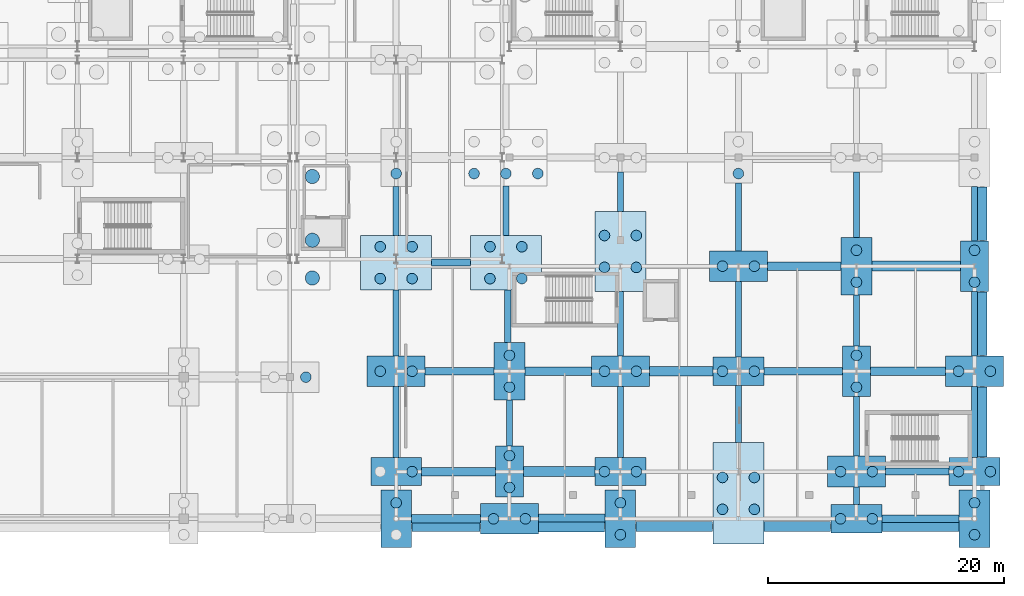
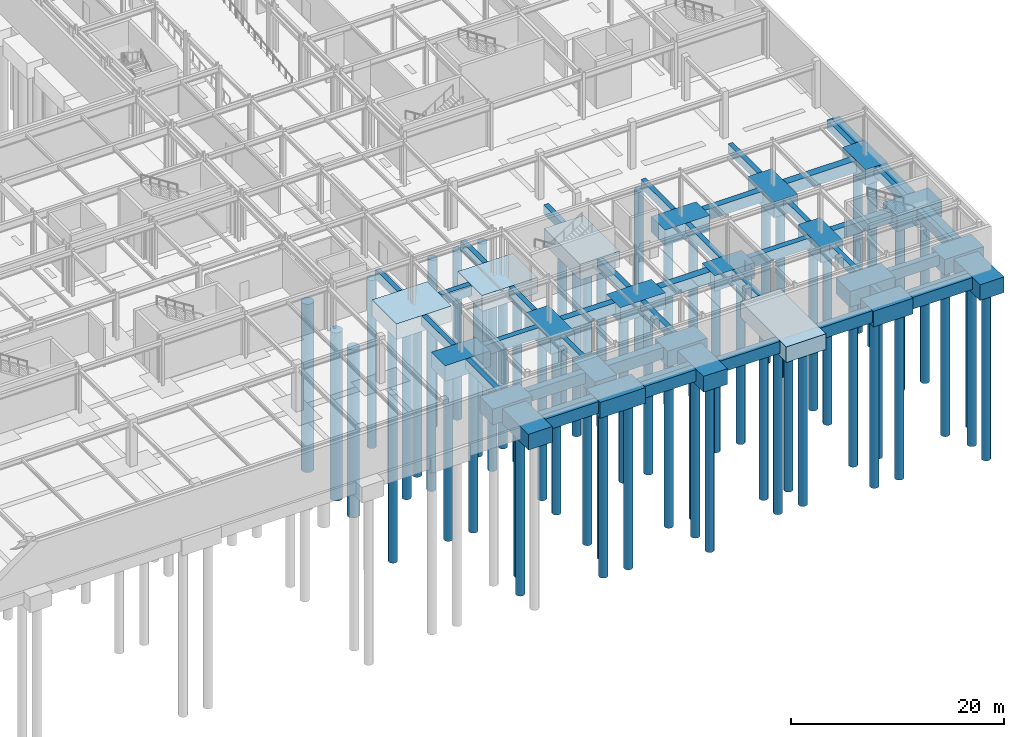
# One storey, part 8 of 65: 64 footings, 61 piles.
"""IFC4 building model written with IfcOpenShell, lengths in metres."""

from ifc_helpers import new_model, si_unit, direction, frame, origin, origin_2d, place, context, subcontext, project, spatial, rectangle, circle, extrude, material, material_profile, profile_set, type_object, element, save


model = new_model("IFC4")

# Units and contexts
model_context = context("Model", 3, precision=1e-05, world=origin(), true_north=direction((0.0, 1.0)))
body_context = subcontext(model_context, "Body", "Model", "MODEL_VIEW")
ifc_project = project(units=[si_unit("LENGTHUNIT", "METRE"), si_unit("AREAUNIT", "SQUARE_METRE"), si_unit("VOLUMEUNIT", "CUBIC_METRE"), si_unit("PLANEANGLEUNIT", "RADIAN"), si_unit("MASSUNIT", "GRAM", prefix="KILO")], contexts=[model_context])

# Site, building, storey
site_placement = place(None, origin())
site = spatial("IfcSite", under=ifc_project, at=site_placement, CompositionType="ELEMENT")
building_placement = place(site_placement, origin())
building = spatial("IfcBuilding", under=site, at=building_placement, Name="Kaldris Quays Convention Centre", CompositionType="ELEMENT")
storey_placement = place(building_placement, frame((0.0, 0.0, -5.39990234375)))
storey = spatial("IfcBuildingStorey", under=building, at=storey_placement, Name="B1", CompositionType="ELEMENT", Elevation=-5.39990234375)

# Piles
ifc_material = material(Name="Concrete C35/45", Category="concrete")
ifc_material_profile_1 = material_profile(ifc_material, circle(Radius=0.449951171875, at=origin_2d()), Name="BORED PILE D900")
ifc_profile_set_1 = profile_set([ifc_material_profile_1], Name="Concrete C35/45")
pile_type_1 = type_object("IfcPileType", Name="BORED PILE P01", PredefinedType="BORED", material=ifc_profile_set_1)
for number, where, z_axis, x_axis, name in (
    (1, (147.35009765625, 28.0, -1.7001953125), (0.0, 0.0, -1.0), (1.0, 0.0, 0.0), "Bored Pile P01 450"),
    (2, (155.0, 17.35009765625, -1.7001953125), (0.0, 0.0, -1.0), (1.0, 0.0, 0.0), "Bored Pile P01 524"),
    (3, (156.35009765625, 20.0, -1.7001953125), (0.0, 0.0, -1.0), (1.0, 0.0, 0.0), "Bored Pile P01 526"),
    (4, (153.64990234375, 28.5, -1.7001953125), (0.0, 0.0, -1.0), (1.0, 0.0, 0.0), "Bored Pile P01 527"),
    (5, (156.35009765625, 28.5, -1.7001953125), (0.0, 0.0, -1.0), (1.0, 0.0, 0.0), "Bored Pile P01 528"),
    (6, (153.64990234375, 36.35009765625, -1.7001953125), (0.0, 0.0, -1.0), (1.0, 0.0, 0.0), "Bored Pile P01 529"),
    (7, (156.35009765625, 36.35009765625, -1.7001953125), (0.0, 0.0, -1.0), (1.0, 0.0, 0.0), "Bored Pile P01 530"),
    (8, (153.64990234375, 39.050048828125, -1.7001953125), (0.0, 0.0, -1.0), (1.0, 0.0, 0.0), "Bored Pile P01 531"),
    (9, (156.35009765625, 39.050048828125, -1.7001953125), (0.0, 0.0, -1.0), (1.0, 0.0, 0.0), "Bored Pile P01 532"),
    (10, (155.0, 45.25, -1.7001953125), (0.0, 0.0, -1.0), (1.0, 0.0, 0.0), "Bored Pile P01 533"),
    (11, (162.949951171875, 36.35009765625, -1.7001953125), (0.0, 0.0, -1.0), (1.0, 0.0, 0.0), "Bored Pile P01 563"),
    (12, (165.64990234375, 36.35009765625, -1.7001953125), (0.0, 0.0, -1.0), (1.0, 0.0, 0.0), "Bored Pile P01 564"),
    (13, (162.949951171875, 39.050048828125, -1.7001953125), (0.0, 0.0, -1.0), (1.0, 0.0, 0.0), "Bored Pile P01 565"),
    (14, (165.64990234375, 39.050048828125, -1.7001953125), (0.0, 0.0, -1.0), (1.0, 0.0, 0.0), "Bored Pile P01 566"),
    (15, (161.60009765625, 45.25, -1.7001953125), (0.0, 0.0, -1.0), (1.0, 0.0, 0.0), "Bored Pile P01 567"),
    (16, (164.300048828125, 45.25, -1.7001953125), (0.0, 0.0, -1.0), (1.0, 0.0, 0.0), "Bored Pile P01 568"),
    (17, (167.0, 45.25, -1.7001953125), (0.0, 0.0, -1.0), (1.0, 0.0, 0.0), "Bored Pile P01 569"),
    (18, (163.25, 16.0, -1.7001953125), (0.0, 0.0, -1.0), (1.0, 0.0, 0.0), "Bored Pile P01 611"),
    (19, (165.949951171875, 16.0, -1.7001953125), (0.0, 0.0, -1.0), (1.0, 0.0, 0.0), "Bored Pile P01 612"),
    (20, (164.60009765625, 18.64990234375, -1.7001953125), (0.0, 0.0, -1.0), (1.0, 0.0, 0.0), "Bored Pile P01 613"),
    (21, (164.60009765625, 21.35009765625, -1.7001953125), (0.0, 0.0, -1.0), (1.0, 0.0, 0.0), "Bored Pile P01 614"),
    (22, (164.60009765625, 27.14990234375, -1.7001953125), (0.0, 0.0, -1.0), (1.0, 0.0, 0.0), "Bored Pile P01 615"),
    (23, (164.60009765625, 29.85009765625, -1.7001953125), (0.0, 0.0, -1.0), (1.0, 0.0, 0.0), "Bored Pile P01 616"),
    (24, (174.0, 14.64990234375, -1.7001953125), (0.0, 0.0, -1.0), (1.0, 0.0, 0.0), "Bored Pile P01 623"),
    (25, (174.0, 17.35009765625, -1.7001953125), (0.0, 0.0, -1.0), (1.0, 0.0, 0.0), "Bored Pile P01 624"),
    (26, (172.64990234375, 20.0, -1.7001953125), (0.0, 0.0, -1.0), (1.0, 0.0, 0.0), "Bored Pile P01 625"),
    (27, (175.35009765625, 20.0, -1.7001953125), (0.0, 0.0, -1.0), (1.0, 0.0, 0.0), "Bored Pile P01 626"),
    (28, (172.64990234375, 28.5, -1.7001953125), (0.0, 0.0, -1.0), (1.0, 0.0, 0.0), "Bored Pile P01 627"),
    (29, (175.35009765625, 28.5, -1.7001953125), (0.0, 0.0, -1.0), (1.0, 0.0, 0.0), "Bored Pile P01 628"),
    (30, (172.64990234375, 37.300048828125, -1.7001953125), (0.0, 0.0, -1.0), (1.0, 0.0, 0.0), "Bored Pile P01 629"),
    (31, (175.35009765625, 37.300048828125, -1.7001953125), (0.0, 0.0, -1.0), (1.0, 0.0, 0.0), "Bored Pile P01 630"),
    (32, (172.64990234375, 40.0, -1.7001953125), (0.0, 0.0, -1.0), (1.0, 0.0, 0.0), "Bored Pile P01 631"),
    (33, (175.35009765625, 40.0, -1.7001953125), (0.0, 0.0, -1.0), (1.0, 0.0, 0.0), "Bored Pile P01 632"),
    (34, (182.64990234375, 16.800048828125, -1.7001953125), (0.0, 0.0, -1.0), (1.0, 0.0, 0.0), "Bored Pile P01 661"),
    (35, (185.35009765625, 16.800048828125, -1.7001953125), (0.0, 0.0, -1.0), (1.0, 0.0, 0.0), "Bored Pile P01 662"),
    (36, (182.64990234375, 19.5, -1.7001953125), (0.0, 0.0, -1.0), (1.0, 0.0, 0.0), "Bored Pile P01 663"),
    (37, (185.35009765625, 19.5, -1.7001953125), (0.0, 0.0, -1.0), (1.0, 0.0, 0.0), "Bored Pile P01 664"),
    (38, (182.64990234375, 28.5, -1.7001953125), (0.0, 0.0, -1.0), (1.0, 0.0, 0.0), "Bored Pile P01 665"),
    (39, (185.35009765625, 28.5, -1.7001953125), (0.0, 0.0, -1.0), (1.0, 0.0, 0.0), "Bored Pile P01 666"),
    (40, (182.64990234375, 37.39990234375, -1.7001953125), (0.0, 0.0, -1.0), (1.0, 0.0, 0.0), "Bored Pile P01 667"),
    (41, (185.35009765625, 37.39990234375, -1.7001953125), (0.0, 0.0, -1.0), (1.0, 0.0, 0.0), "Bored Pile P01 668"),
    (42, (184.0, 45.25, -1.7001953125), (0.0, 0.0, -1.0), (1.0, 0.0, 0.0), "Bored Pile P01 669"),
    (43, (192.64990234375, 16.0, -1.7001953125), (0.0, 0.0, -1.0), (1.0, 0.0, 0.0), "Bored Pile P01 697"),
    (44, (195.35009765625, 16.0, -1.7001953125), (0.0, 0.0, -1.0), (1.0, 0.0, 0.0), "Bored Pile P01 698"),
    (45, (192.64990234375, 20.0, -1.7001953125), (0.0, 0.0, -1.0), (1.0, 0.0, 0.0), "Bored Pile P01 699"),
    (46, (195.35009765625, 20.0, -1.7001953125), (0.0, 0.0, -1.0), (1.0, 0.0, 0.0), "Bored Pile P01 700"),
    (47, (194.0, 27.14990234375, -1.7001953125), (0.0, 0.0, -1.0), (1.0, 0.0, 0.0), "Bored Pile P01 701"),
    (48, (194.0, 29.85009765625, -1.7001953125), (0.0, 0.0, -1.0), (1.0, 0.0, 0.0), "Bored Pile P01 702"),
    (49, (194.0, 36.050048828125, -1.7001953125), (0.0, 0.0, -1.0), (1.0, 0.0, 0.0), "Bored Pile P01 703"),
    (50, (194.0, 38.75, -1.7001953125), (0.0, 0.0, -1.0), (1.0, 0.0, 0.0), "Bored Pile P01 704"),
    (51, (204.0, 14.64990234375, -1.7001953125), (0.0, 0.0, -1.0), (1.0, 0.0, 0.0), "Bored Pile P01 733"),
    (52, (204.0, 17.35009765625, -1.7001953125), (0.0, 0.0, -1.0), (1.0, 0.0, 0.0), "Bored Pile P01 734"),
    (53, (202.64990234375, 20.0, -1.7001953125), (0.0, 0.0, -1.0), (1.0, 0.0, 0.0), "Bored Pile P01 735"),
    (54, (205.35009765625, 20.0, -1.7001953125), (0.0, 0.0, -1.0), (1.0, 0.0, 0.0), "Bored Pile P01 736"),
    (55, (202.64990234375, 28.5, -1.7001953125), (0.0, 0.0, -1.0), (1.0, 0.0, 0.0), "Bored Pile P01 737"),
    (56, (205.35009765625, 28.5, -1.7001953125), (0.0, 0.0, -1.0), (1.0, 0.0, 0.0), "Bored Pile P01 738"),
    (57, (204.0, 36.050048828125, -1.7001953125), (0.0, 0.0, -1.0), (1.0, 0.0, 0.0), "Bored Pile P01 739"),
    (58, (204.0, 38.75, -1.7001953125), (0.0, 0.0, -1.0), (1.0, 0.0, 0.0), "Bored Pile P01 740"),
):
    element("IfcPile", number, at=place(storey_placement, frame(where, z_axis=z_axis, x_axis=x_axis)), inside=storey, type_object=pile_type_1, Name=name, PredefinedType="BORED", context=body_context, shape_type="SweptSolid", body=[
        extrude(circle(Radius=0.449951171875, at=origin_2d()), origin(), (0.0, 0.0, 1.0), 19.300048828125),
    ])
ifc_material_profile_2 = material_profile(ifc_material, circle(Radius=0.60009765625, at=origin_2d()), Name="BORED PILE D1200")
ifc_profile_set_2 = profile_set([ifc_material_profile_2], Name="Concrete C35/45")
pile_type_2 = type_object("IfcPileType", Name="BORED PILE P02", PredefinedType="BORED", material=ifc_profile_set_2)
for number, where, z_axis, x_axis, name in (
    (59, (147.89990234375, 36.39990234375, -1.7001953125), (0.0, 0.0, -1.0), (1.0, 0.0, 0.0), "Bored Pile P02 452"),
    (60, (147.89990234375, 39.60009765625, -1.7001953125), (0.0, 0.0, -1.0), (1.0, 0.0, 0.0), "Bored Pile P02 454"),
    (61, (147.89990234375, 45.0, -1.7001953125), (0.0, 0.0, -1.0), (1.0, 0.0, 0.0), "Bored Pile P02 456"),
):
    element("IfcPile", number, at=place(storey_placement, frame(where, z_axis=z_axis, x_axis=x_axis)), inside=storey, type_object=pile_type_2, Name=name, PredefinedType="BORED", context=body_context, shape_type="SweptSolid", body=[
        extrude(circle(Radius=0.60009765625, at=origin_2d()), origin(), (0.0, 0.0, 1.0), 19.300048828125),
    ])

# Footings
footing_type_1 = type_object("IfcFootingType", Name="CONCRETE FOOTING PC02", PredefinedType="PILE_CAP", material=ifc_material)
for number, where, z_axis, x_axis, name in (
    (62, (155.0, 20.0, -1.80029296875), (0.0, 0.0, 1.0), (1.0, 0.0, 0.0), "Pile Cap CAP-141 (PC02)"),
    (63, (174.0, 20.0, -1.80029296875), (0.0, 0.0, 1.0), (1.0, 0.0, 0.0), "Pile Cap CAP-181 (PC02)"),
    (64, (184.0, 28.5, -1.80029296875), (0.0, 0.0, 1.0), (1.0, 0.0, 0.0), "Pile Cap CAP-197 (PC02)"),
    (65, (194.0, 16.0, -1.80029296875), (0.0, 0.0, 1.0), (1.0, 0.0, 0.0), "Pile Cap CAP-209 (PC02)"),
    (66, (204.0, 20.0, -1.80029296875), (0.0, 0.0, 1.0), (1.0, 0.0, 0.0), "Pile Cap CAP-225 (PC02)"),
):
    element("IfcFooting", number, at=place(storey_placement, frame(where, z_axis=z_axis, x_axis=x_axis)), inside=storey, type_object=footing_type_1, Name=name, PredefinedType="PILE_CAP", context=body_context, shape_type="SweptSolid", body=[
        extrude(rectangle(XDim=4.300048828125, YDim=2.39990234375, at=origin_2d()), origin(), (0.0, 0.0, 1.0), 1.800048828125),
    ])
footing_type_2 = type_object("IfcFootingType", Name="CONCRETE FOOTING PC03", PredefinedType="PILE_CAP", material=ifc_material)
for number, where, z_axis, x_axis, name in (
    (67, (164.60009765625, 20.0, -1.80029296875), (0.0, 0.0, 1.0), (1.0, 0.0, 0.0), "Pile Cap CAP-175 (PC03)"),
    (68, (194.0, 28.5, -1.80029296875), (0.0, 0.0, 1.0), (1.0, 0.0, 0.0), "Pile Cap CAP-211 (PC03)"),
    (69, (204.0, 37.39990234375, -1.80029296875), (0.0, 0.0, 1.0), (1.0, 0.0, 0.0), "Pile Cap CAP-227 (PC03)"),
):
    element("IfcFooting", number, at=place(storey_placement, frame(where, z_axis=z_axis, x_axis=x_axis)), inside=storey, type_object=footing_type_2, Name=name, PredefinedType="PILE_CAP", context=body_context, shape_type="SweptSolid", body=[
        extrude(rectangle(XDim=2.39990234375, YDim=4.300048828125, at=origin_2d()), origin(), (0.0, 0.0, 1.0), 1.800048828125),
    ])
footing_type_3 = type_object("IfcFootingType", Name="CONCRETE FOOTING PC11", PredefinedType="PILE_CAP", material=ifc_material)
for number, where, z_axis, x_axis, name in (
    (70, (155.0, 28.5, -1.80029296875), (0.0, 0.0, 1.0), (1.0, 0.0, 0.0), "Pile Cap CAP-142 (PC11)"),
    (71, (164.60009765625, 16.0, -1.80029296875), (0.0, 0.0, 1.0), (1.0, 0.0, 0.0), "Pile Cap CAP-174 (PC11)"),
    (72, (174.0, 28.5, -1.80029296875), (0.0, 0.0, 1.0), (1.0, 0.0, 0.0), "Pile Cap CAP-182 (PC11)"),
    (73, (184.0, 37.39990234375, -1.80029296875), (0.0, 0.0, 1.0), (1.0, 0.0, 0.0), "Pile Cap CAP-198 (PC11)"),
    (74, (194.0, 20.0, -1.80029296875), (0.0, 0.0, 1.0), (1.0, 0.0, 0.0), "Pile Cap CAP-210 (PC11)"),
    (75, (204.0, 28.5, -1.80029296875), (0.0, 0.0, 1.0), (1.0, 0.0, 0.0), "Pile Cap CAP-226 (PC11)"),
):
    element("IfcFooting", number, at=place(storey_placement, frame(where, z_axis=z_axis, x_axis=x_axis)), inside=storey, type_object=footing_type_3, Name=name, PredefinedType="PILE_CAP", context=body_context, shape_type="SweptSolid", body=[
        extrude(rectangle(XDim=4.89990234375, YDim=2.60009765625, at=origin_2d()), origin(), (0.0, 0.0, 1.0), 1.800048828125),
    ])
footing_type_4 = type_object("IfcFootingType", Name="CONCRETE FOOTING PC12", PredefinedType="PILE_CAP", material=ifc_material)
for number, where, z_axis, x_axis, name in (
    (76, (155.0, 16.0, -1.80029296875), (0.0, 0.0, 1.0), (1.0, 0.0, 0.0), "Pile Cap CAP-140 (PC12)"),
    (77, (164.60009765625, 28.5, -1.80029296875), (0.0, 0.0, 1.0), (1.0, 0.0, 0.0), "Pile Cap CAP-176 (PC12)"),
    (78, (174.0, 16.0, -1.80029296875), (0.0, 0.0, 1.0), (1.0, 0.0, 0.0), "Pile Cap CAP-180 (PC12)"),
    (79, (194.0, 37.39990234375, -1.80029296875), (0.0, 0.0, 1.0), (1.0, 0.0, 0.0), "Pile Cap CAP-212 (PC12)"),
    (80, (204.0, 16.0, -1.80029296875), (0.0, 0.0, 1.0), (1.0, 0.0, 0.0), "Pile Cap CAP-224 (PC12)"),
):
    element("IfcFooting", number, at=place(storey_placement, frame(where, z_axis=z_axis, x_axis=x_axis)), inside=storey, type_object=footing_type_4, Name=name, PredefinedType="PILE_CAP", context=body_context, shape_type="SweptSolid", body=[
        extrude(rectangle(XDim=2.60009765625, YDim=4.89990234375, at=origin_2d()), origin(), (0.0, 0.0, 1.0), 1.800048828125),
    ])
footing_type_5 = type_object("IfcFootingType", Name="CONCRETE FOOTING PC16", PredefinedType="PILE_CAP", material=ifc_material)
for number, where, z_axis, x_axis, name in (
    (81, (155.0, 37.699951171875, -1.80029296875), (0.0, 0.0, 1.0), (1.0, 0.0, 0.0), "Pile Cap CAP-143 (PC16)"),
    (82, (164.300048828125, 37.699951171875, -1.80029296875), (0.0, 0.0, 1.0), (1.0, 0.0, 0.0), "Pile Cap CAP-161 (PC16)"),
):
    element("IfcFooting", number, at=place(storey_placement, frame(where, z_axis=z_axis, x_axis=x_axis)), inside=storey, type_object=footing_type_5, Name=name, PredefinedType="PILE_CAP", context=body_context, shape_type="SweptSolid", body=[
        extrude(rectangle(XDim=6.0, YDim=4.60009765625, at=origin_2d()), origin(), (0.0, 0.0, 1.0), 1.800048828125),
    ])
footing_type_6 = type_object("IfcFootingType", Name="CONCRETE FOOTING PCM04", PredefinedType="PILE_CAP", material=ifc_material)
footing_1_placement = place(storey_placement, frame((174.0, 38.64990234375, -1.80029296875), z_axis=(0.0, 0.0, 1.0), x_axis=(1.0, 0.0, 0.0)))
element("IfcFooting", 83, at=footing_1_placement, inside=storey, type_object=footing_type_6, Name="Pile Cap CAP-183 (PCM04)", PredefinedType="PILE_CAP", context=body_context, shape_type="SweptSolid", body=[
    extrude(rectangle(XDim=4.300048828125, YDim=6.800048828125, at=origin_2d()), origin(), (0.0, 0.0, 1.0), 1.800048828125),
])
footing_type_7 = type_object("IfcFootingType", Name="CONCRETE FOOTING PCM05", PredefinedType="PILE_CAP", material=ifc_material)
footing_2_placement = place(storey_placement, frame((184.0, 18.14990234375, -1.80029296875), z_axis=(0.0, 0.0, 1.0), x_axis=(1.0, 0.0, 0.0)))
element("IfcFooting", 84, at=footing_2_placement, inside=storey, type_object=footing_type_7, Name="Pile Cap CAP-195 (PCM05)", PredefinedType="PILE_CAP", context=body_context, shape_type="SweptSolid", body=[
    extrude(rectangle(XDim=4.300048828125, YDim=8.60009765625, at=origin_2d()), origin(), (0.0, 0.0, 1.0), 1.800048828125),
])
footing_type_8 = type_object("IfcFootingType", Name="GROUND TIE BEAM GB01", PredefinedType="FOOTING_BEAM", material=ifc_material)
footing_3_placement = place(storey_placement, frame((199.425048828125, 16.0, -1.2001953125), z_axis=(0.0, 0.0, 1.0), x_axis=(1.0, 0.0, 0.0)))
element("IfcFooting", 85, at=footing_3_placement, inside=storey, type_object=footing_type_8, Name="Ground Tie Beam GB01 15", PredefinedType="FOOTING_BEAM", context=body_context, shape_type="SweptSolid", body=[
    extrude(rectangle(XDim=6.550048828125, YDim=0.60009765625, at=origin_2d()), origin(), (0.0, 0.0, 1.0), 1.199951171875),
])
footing_4_placement = place(storey_placement, frame((199.14990234375, 20.0, -1.2001953125), z_axis=(0.0, 0.0, 1.0), x_axis=(1.0, 0.0, 0.0)))
element("IfcFooting", 86, at=footing_4_placement, inside=storey, type_object=footing_type_8, Name="Ground Tie Beam GB01 18", PredefinedType="FOOTING_BEAM", context=body_context, shape_type="SweptSolid", body=[
    extrude(rectangle(XDim=5.39990234375, YDim=0.60009765625, at=origin_2d()), origin(), (0.0, 0.0, 1.0), 1.199951171875),
])
footing_5_placement = place(storey_placement, frame((160.375, 28.5, -1.2001953125), z_axis=(0.0, 0.0, 1.0), x_axis=(1.0, 0.0, 0.0)))
element("IfcFooting", 87, at=footing_5_placement, inside=storey, type_object=footing_type_8, Name="Ground Tie Beam GB01 30", PredefinedType="FOOTING_BEAM", context=body_context, shape_type="SweptSolid", body=[
    extrude(rectangle(XDim=5.85009765625, YDim=0.60009765625, at=origin_2d()), origin(), (0.0, 0.0, 1.0), 1.199951171875),
])
footing_6_placement = place(storey_placement, frame((189.47509765625, 28.5, -1.2001953125), z_axis=(0.0, 0.0, 1.0), x_axis=(1.0, 0.0, 0.0)))
element("IfcFooting", 88, at=footing_6_placement, inside=storey, type_object=footing_type_8, Name="Ground Tie Beam GB01 33", PredefinedType="FOOTING_BEAM", context=body_context, shape_type="SweptSolid", body=[
    extrude(rectangle(XDim=6.64990234375, YDim=0.60009765625, at=origin_2d()), origin(), (0.0, 0.0, 1.0), 1.199951171875),
])
footing_7_placement = place(storey_placement, frame((159.64990234375, 37.699951171875, -1.2001953125), z_axis=(0.0, 0.0, 1.0), x_axis=(1.0, 0.0, 0.0)))
element("IfcFooting", 89, at=footing_7_placement, inside=storey, type_object=footing_type_8, Name="Ground Tie Beam GB01 42", PredefinedType="FOOTING_BEAM", context=body_context, shape_type="SweptSolid", body=[
    extrude(rectangle(XDim=3.300048828125, YDim=0.60009765625, at=origin_2d()), origin(), (0.0, 0.0, 1.0), 1.199951171875),
])
footing_type_9 = type_object("IfcFootingType", Name="GROUND TIE BEAM GB02", PredefinedType="FOOTING_BEAM", material=ifc_material)
footing_8_placement = place(storey_placement, frame((159.22509765625, 16.0, -1.25), z_axis=(0.0, 0.0, 1.0), x_axis=(1.0, 0.0, 0.0)))
element("IfcFooting", 90, at=footing_8_placement, inside=storey, type_object=footing_type_9, Name="Ground Tie Beam GB02 13", PredefinedType="FOOTING_BEAM", context=body_context, shape_type="SweptSolid", body=[
    extrude(rectangle(XDim=5.85009765625, YDim=0.719970703125, at=origin_2d()), origin(), (0.0, 0.0, 1.0), 1.25),
])
footing_9_placement = place(storey_placement, frame((160.27490234375, 20.0, -1.25), z_axis=(0.0, 0.0, 1.0), x_axis=(1.0, 0.0, 0.0)))
element("IfcFooting", 91, at=footing_9_placement, inside=storey, type_object=footing_type_9, Name="Ground Tie Beam GB02 16", PredefinedType="FOOTING_BEAM", context=body_context, shape_type="SweptSolid", body=[
    extrude(rectangle(XDim=6.25, YDim=0.719970703125, at=origin_2d()), origin(), (0.0, 0.0, 1.0), 1.25),
])
footing_10_placement = place(storey_placement, frame((168.72509765625, 28.5, -1.25), z_axis=(0.0, 0.0, 1.0), x_axis=(1.0, 0.0, 0.0)))
element("IfcFooting", 92, at=footing_10_placement, inside=storey, type_object=footing_type_9, Name="Ground Tie Beam GB02 31", PredefinedType="FOOTING_BEAM", context=body_context, shape_type="SweptSolid", body=[
    extrude(rectangle(XDim=5.64990234375, YDim=0.719970703125, at=origin_2d()), origin(), (0.0, 0.0, 1.0), 1.25),
])
footing_11_placement = place(storey_placement, frame((198.375, 28.5, -1.25), z_axis=(0.0, 0.0, 1.0), x_axis=(1.0, 0.0, 0.0)))
element("IfcFooting", 93, at=footing_11_placement, inside=storey, type_object=footing_type_9, Name="Ground Tie Beam GB02 34", PredefinedType="FOOTING_BEAM", context=body_context, shape_type="SweptSolid", body=[
    extrude(rectangle(XDim=6.35009765625, YDim=0.719970703125, at=origin_2d()), origin(), (0.0, 0.0, 1.0), 1.25),
])
footing_12_placement = place(storey_placement, frame((189.574951171875, 37.39990234375, -1.25), z_axis=(0.0, 0.0, 1.0), x_axis=(1.0, 0.0, 0.0)))
element("IfcFooting", 94, at=footing_12_placement, inside=storey, type_object=footing_type_9, Name="Ground Tie Beam GB02 43", PredefinedType="FOOTING_BEAM", context=body_context, shape_type="SweptSolid", body=[
    extrude(rectangle(XDim=6.25, YDim=0.719970703125, at=origin_2d()), origin(), (0.0, 0.0, 1.0), 1.25),
])
footing_type_10 = type_object("IfcFootingType", Name="GROUND TIE BEAM GB03", PredefinedType="FOOTING_BEAM", material=ifc_material)
footing_13_placement = place(storey_placement, frame((155.0, 24.199951171875, -1.05029296875), z_axis=(0.0, 0.0, 1.0), x_axis=(1.0, 0.0, 0.0)))
element("IfcFooting", 95, at=footing_13_placement, inside=storey, type_object=footing_type_10, Name="Ground Tie Beam GB03 270", PredefinedType="FOOTING_BEAM", context=body_context, shape_type="SweptSolid", body=[
    extrude(rectangle(XDim=0.52001953125, YDim=6.0, at=origin_2d()), origin(), (0.0, 0.0, 1.0), 1.050048828125),
])
footing_14_placement = place(storey_placement, frame((155.0, 32.60009765625, -1.05029296875), z_axis=(0.0, 0.0, 1.0), x_axis=(1.0, 0.0, 0.0)))
element("IfcFooting", 96, at=footing_14_placement, inside=storey, type_object=footing_type_10, Name="Ground Tie Beam GB03 271", PredefinedType="FOOTING_BEAM", context=body_context, shape_type="SweptSolid", body=[
    extrude(rectangle(XDim=0.52001953125, YDim=5.60009765625, at=origin_2d()), origin(), (0.0, 0.0, 1.0), 1.050048828125),
])
footing_15_placement = place(storey_placement, frame((155.0, 42.074951171875, -1.05029296875), z_axis=(0.0, 0.0, 1.0), x_axis=(1.0, 0.0, 0.0)))
element("IfcFooting", 97, at=footing_15_placement, inside=storey, type_object=footing_type_10, Name="Ground Tie Beam GB03 272", PredefinedType="FOOTING_BEAM", context=body_context, shape_type="SweptSolid", body=[
    extrude(rectangle(XDim=0.52001953125, YDim=4.14990234375, at=origin_2d()), origin(), (0.0, 0.0, 1.0), 1.050048828125),
])
footing_16_placement = place(storey_placement, frame((164.60009765625, 24.10009765625, -1.05029296875), z_axis=(0.0, 0.0, 1.0), x_axis=(1.0, 0.0, 0.0)))
element("IfcFooting", 98, at=footing_16_placement, inside=storey, type_object=footing_type_10, Name="Ground Tie Beam GB03 282", PredefinedType="FOOTING_BEAM", context=body_context, shape_type="SweptSolid", body=[
    extrude(rectangle(XDim=0.52001953125, YDim=3.89990234375, at=origin_2d()), origin(), (0.0, 0.0, 1.0), 1.050048828125),
])
footing_17_placement = place(storey_placement, frame((164.449951171875, 33.175048828125, -1.05029296875), z_axis=(0.0, 0.0, 1.0), x_axis=(1.0, 0.0, 0.0)))
element("IfcFooting", 99, at=footing_17_placement, inside=storey, type_object=footing_type_10, Name="Ground Tie Beam GB03 283", PredefinedType="FOOTING_BEAM", context=body_context, shape_type="SweptSolid", body=[
    extrude(rectangle(XDim=0.52001953125, YDim=4.449951171875, at=origin_2d()), origin(), (0.0, 0.0, 1.0), 1.050048828125),
])
footing_18_placement = place(storey_placement, frame((164.300048828125, 42.10009765625, -1.05029296875), z_axis=(0.0, 0.0, 1.0), x_axis=(1.0, 0.0, 0.0)))
element("IfcFooting", 100, at=footing_18_placement, inside=storey, type_object=footing_type_10, Name="Ground Tie Beam GB03 284", PredefinedType="FOOTING_BEAM", context=body_context, shape_type="SweptSolid", body=[
    extrude(rectangle(XDim=0.52001953125, YDim=4.199951171875, at=origin_2d()), origin(), (0.0, 0.0, 1.0), 1.050048828125),
])
footing_19_placement = place(storey_placement, frame((174.0, 24.199951171875, -1.05029296875), z_axis=(0.0, 0.0, 1.0), x_axis=(1.0, 0.0, 0.0)))
element("IfcFooting", 101, at=footing_19_placement, inside=storey, type_object=footing_type_10, Name="Ground Tie Beam GB03 291", PredefinedType="FOOTING_BEAM", context=body_context, shape_type="SweptSolid", body=[
    extrude(rectangle(XDim=0.52001953125, YDim=6.0, at=origin_2d()), origin(), (0.0, 0.0, 1.0), 1.050048828125),
])
footing_20_placement = place(storey_placement, frame((174.0, 32.52490234375, -1.05029296875), z_axis=(0.0, 0.0, 1.0), x_axis=(1.0, 0.0, 0.0)))
element("IfcFooting", 102, at=footing_20_placement, inside=storey, type_object=footing_type_10, Name="Ground Tie Beam GB03 292", PredefinedType="FOOTING_BEAM", context=body_context, shape_type="SweptSolid", body=[
    extrude(rectangle(XDim=0.52001953125, YDim=5.449951171875, at=origin_2d()), origin(), (0.0, 0.0, 1.0), 1.050048828125),
])
footing_21_placement = place(storey_placement, frame((174.0, 43.72509765625, -1.05029296875), z_axis=(0.0, 0.0, 1.0), x_axis=(1.0, 0.0, 0.0)))
element("IfcFooting", 103, at=footing_21_placement, inside=storey, type_object=footing_type_10, Name="Ground Tie Beam GB03 293", PredefinedType="FOOTING_BEAM", context=body_context, shape_type="SweptSolid", body=[
    extrude(rectangle(XDim=0.52001953125, YDim=3.35009765625, at=origin_2d()), origin(), (0.0, 0.0, 1.0), 1.050048828125),
])
footing_22_placement = place(storey_placement, frame((184.0, 24.875, -1.05029296875), z_axis=(0.0, 0.0, 1.0), x_axis=(1.0, 0.0, 0.0)))
element("IfcFooting", 104, at=footing_22_placement, inside=storey, type_object=footing_type_10, Name="Ground Tie Beam GB03 302", PredefinedType="FOOTING_BEAM", context=body_context, shape_type="SweptSolid", body=[
    extrude(rectangle(XDim=0.52001953125, YDim=4.85009765625, at=origin_2d()), origin(), (0.0, 0.0, 1.0), 1.050048828125),
])
footing_23_placement = place(storey_placement, frame((184.0, 32.89990234375, -1.05029296875), z_axis=(0.0, 0.0, 1.0), x_axis=(1.0, 0.0, 0.0)))
element("IfcFooting", 105, at=footing_23_placement, inside=storey, type_object=footing_type_10, Name="Ground Tie Beam GB03 303", PredefinedType="FOOTING_BEAM", context=body_context, shape_type="SweptSolid", body=[
    extrude(rectangle(XDim=0.52001953125, YDim=6.39990234375, at=origin_2d()), origin(), (0.0, 0.0, 1.0), 1.050048828125),
])
footing_24_placement = place(storey_placement, frame((184.0, 41.574951171875, -1.05029296875), z_axis=(0.0, 0.0, 1.0), x_axis=(1.0, 0.0, 0.0)))
element("IfcFooting", 106, at=footing_24_placement, inside=storey, type_object=footing_type_10, Name="Ground Tie Beam GB03 304", PredefinedType="FOOTING_BEAM", context=body_context, shape_type="SweptSolid", body=[
    extrude(rectangle(XDim=0.52001953125, YDim=5.75, at=origin_2d()), origin(), (0.0, 0.0, 1.0), 1.050048828125),
])
footing_25_placement = place(storey_placement, frame((194.0, 17.949951171875, -1.05029296875), z_axis=(0.0, 0.0, 1.0), x_axis=(1.0, 0.0, 0.0)))
element("IfcFooting", 107, at=footing_25_placement, inside=storey, type_object=footing_type_10, Name="Ground Tie Beam GB03 312", PredefinedType="FOOTING_BEAM", context=body_context, shape_type="SweptSolid", body=[
    extrude(rectangle(XDim=0.52001953125, YDim=1.5, at=origin_2d()), origin(), (0.0, 0.0, 1.0), 1.050048828125),
])
footing_26_placement = place(storey_placement, frame((194.0, 23.824951171875, -1.05029296875), z_axis=(0.0, 0.0, 1.0), x_axis=(1.0, 0.0, 0.0)))
element("IfcFooting", 108, at=footing_26_placement, inside=storey, type_object=footing_type_10, Name="Ground Tie Beam GB03 313", PredefinedType="FOOTING_BEAM", context=body_context, shape_type="SweptSolid", body=[
    extrude(rectangle(XDim=0.52001953125, YDim=5.050048828125, at=origin_2d()), origin(), (0.0, 0.0, 1.0), 1.050048828125),
])
footing_27_placement = place(storey_placement, frame((194.0, 32.800048828125, -1.05029296875), z_axis=(0.0, 0.0, 1.0), x_axis=(1.0, 0.0, 0.0)))
element("IfcFooting", 109, at=footing_27_placement, inside=storey, type_object=footing_type_10, Name="Ground Tie Beam GB03 314", PredefinedType="FOOTING_BEAM", context=body_context, shape_type="SweptSolid", body=[
    extrude(rectangle(XDim=0.52001953125, YDim=4.300048828125, at=origin_2d()), origin(), (0.0, 0.0, 1.0), 1.050048828125),
])
footing_28_placement = place(storey_placement, frame((194.0, 42.625, -1.05029296875), z_axis=(0.0, 0.0, 1.0), x_axis=(1.0, 0.0, 0.0)))
element("IfcFooting", 110, at=footing_28_placement, inside=storey, type_object=footing_type_10, Name="Ground Tie Beam GB03 315", PredefinedType="FOOTING_BEAM", context=body_context, shape_type="SweptSolid", body=[
    extrude(rectangle(XDim=0.52001953125, YDim=5.550048828125, at=origin_2d()), origin(), (0.0, 0.0, 1.0), 1.050048828125),
])
footing_29_placement = place(storey_placement, frame((204.0, 24.199951171875, -1.05029296875), z_axis=(0.0, 0.0, 1.0), x_axis=(1.0, 0.0, 0.0)))
element("IfcFooting", 111, at=footing_29_placement, inside=storey, type_object=footing_type_10, Name="Ground Tie Beam GB03 323", PredefinedType="FOOTING_BEAM", context=body_context, shape_type="SweptSolid", body=[
    extrude(rectangle(XDim=0.52001953125, YDim=6.0, at=origin_2d()), origin(), (0.0, 0.0, 1.0), 1.050048828125),
])
footing_30_placement = place(storey_placement, frame((204.0, 32.52490234375, -1.05029296875), z_axis=(0.0, 0.0, 1.0), x_axis=(1.0, 0.0, 0.0)))
element("IfcFooting", 112, at=footing_30_placement, inside=storey, type_object=footing_type_10, Name="Ground Tie Beam GB03 324", PredefinedType="FOOTING_BEAM", context=body_context, shape_type="SweptSolid", body=[
    extrude(rectangle(XDim=0.52001953125, YDim=5.449951171875, at=origin_2d()), origin(), (0.0, 0.0, 1.0), 1.050048828125),
])
footing_31_placement = place(storey_placement, frame((204.0, 41.85009765625, -1.05029296875), z_axis=(0.0, 0.0, 1.0), x_axis=(1.0, 0.0, 0.0)))
element("IfcFooting", 113, at=footing_31_placement, inside=storey, type_object=footing_type_10, Name="Ground Tie Beam GB03 325", PredefinedType="FOOTING_BEAM", context=body_context, shape_type="SweptSolid", body=[
    extrude(rectangle(XDim=0.52001953125, YDim=4.60009765625, at=origin_2d()), origin(), (0.0, 0.0, 1.0), 1.050048828125),
])
footing_type_11 = type_object("IfcFootingType", Name="GROUND TIE BEAM GB04", PredefinedType="FOOTING_BEAM", material=ifc_material)
footing_32_placement = place(storey_placement, frame((169.875, 16.0, -1.35009765625), z_axis=(0.0, 0.0, 1.0), x_axis=(1.0, 0.0, 0.0)))
element("IfcFooting", 114, at=footing_32_placement, inside=storey, type_object=footing_type_11, Name="Ground Tie Beam GB04 14", PredefinedType="FOOTING_BEAM", context=body_context, shape_type="SweptSolid", body=[
    extrude(rectangle(XDim=5.64990234375, YDim=0.840087890625, at=origin_2d()), origin(), (0.0, 0.0, 1.0), 1.35009765625),
])
footing_33_placement = place(storey_placement, frame((168.824951171875, 20.0, -1.35009765625), z_axis=(0.0, 0.0, 1.0), x_axis=(1.0, 0.0, 0.0)))
element("IfcFooting", 115, at=footing_33_placement, inside=storey, type_object=footing_type_11, Name="Ground Tie Beam GB04 17", PredefinedType="FOOTING_BEAM", context=body_context, shape_type="SweptSolid", body=[
    extrude(rectangle(XDim=6.050048828125, YDim=0.840087890625, at=origin_2d()), origin(), (0.0, 0.0, 1.0), 1.35009765625),
])
footing_34_placement = place(storey_placement, frame((179.14990234375, 28.5, -1.35009765625), z_axis=(0.0, 0.0, 1.0), x_axis=(1.0, 0.0, 0.0)))
element("IfcFooting", 116, at=footing_34_placement, inside=storey, type_object=footing_type_11, Name="Ground Tie Beam GB04 32", PredefinedType="FOOTING_BEAM", context=body_context, shape_type="SweptSolid", body=[
    extrude(rectangle(XDim=5.39990234375, YDim=0.840087890625, at=origin_2d()), origin(), (0.0, 0.0, 1.0), 1.35009765625),
])
footing_35_placement = place(storey_placement, frame((199.050048828125, 37.39990234375, -1.35009765625), z_axis=(0.0, 0.0, 1.0), x_axis=(1.0, 0.0, 0.0)))
element("IfcFooting", 117, at=footing_35_placement, inside=storey, type_object=footing_type_11, Name="Ground Tie Beam GB04 44", PredefinedType="FOOTING_BEAM", context=body_context, shape_type="SweptSolid", body=[
    extrude(rectangle(XDim=7.5, YDim=0.840087890625, at=origin_2d()), origin(), (0.0, 0.0, 1.0), 1.35009765625),
])
footing_36_placement = place(storey_placement, frame((204.64990234375, 24.199951171875, -1.35009765625), z_axis=(0.0, 0.0, 1.0), x_axis=(1.0, 0.0, 0.0)))
element("IfcFooting", 118, at=footing_36_placement, inside=storey, type_object=footing_type_11, Name="Perimeter Retaining Wall Strip Footing GB04 30", PredefinedType="FOOTING_BEAM", context=body_context, shape_type="SweptSolid", body=[
    extrude(rectangle(XDim=0.840087890625, YDim=5.93994140625, at=origin_2d()), origin(), (0.0, 0.0, 1.0), 1.35009765625),
])
footing_37_placement = place(storey_placement, frame((204.64990234375, 32.52490234375, -1.35009765625), z_axis=(0.0, 0.0, 1.0), x_axis=(1.0, 0.0, 0.0)))
element("IfcFooting", 119, at=footing_37_placement, inside=storey, type_object=footing_type_11, Name="Perimeter Retaining Wall Strip Footing GB04 31", PredefinedType="FOOTING_BEAM", context=body_context, shape_type="SweptSolid", body=[
    extrude(rectangle(XDim=0.840087890625, YDim=5.389892578125, at=origin_2d()), origin(), (0.0, 0.0, 1.0), 1.35009765625),
])
footing_38_placement = place(storey_placement, frame((204.64990234375, 41.85009765625, -1.35009765625), z_axis=(0.0, 0.0, 1.0), x_axis=(1.0, 0.0, 0.0)))
element("IfcFooting", 120, at=footing_38_placement, inside=storey, type_object=footing_type_11, Name="Perimeter Retaining Wall Strip Footing GB04 32", PredefinedType="FOOTING_BEAM", context=body_context, shape_type="SweptSolid", body=[
    extrude(rectangle(XDim=0.840087890625, YDim=4.5400390625, at=origin_2d()), origin(), (0.0, 0.0, 1.0), 1.35009765625),
])
footing_39_placement = place(storey_placement, frame((199.425048828125, 15.35009765625, -1.35009765625), z_axis=(0.0, 0.0, 1.0), x_axis=(1.0, 0.0, 0.0)))
element("IfcFooting", 121, at=footing_39_placement, inside=storey, type_object=footing_type_11, Name="Perimeter Retaining Wall Strip Footing GB04 45", PredefinedType="FOOTING_BEAM", context=body_context, shape_type="SweptSolid", body=[
    extrude(rectangle(XDim=6.489990234375, YDim=0.840087890625, at=origin_2d()), origin(), (0.0, 0.0, 1.0), 1.35009765625),
])
footing_40_placement = place(storey_placement, frame((189.0, 15.35009765625, -1.35009765625), z_axis=(0.0, 0.0, 1.0), x_axis=(1.0, 0.0, 0.0)))
element("IfcFooting", 122, at=footing_40_placement, inside=storey, type_object=footing_type_11, Name="Perimeter Retaining Wall Strip Footing GB04 46", PredefinedType="FOOTING_BEAM", context=body_context, shape_type="SweptSolid", body=[
    extrude(rectangle(XDim=5.639892578125, YDim=0.840087890625, at=origin_2d()), origin(), (0.0, 0.0, 1.0), 1.35009765625),
])
footing_41_placement = place(storey_placement, frame((178.574951171875, 15.35009765625, -1.35009765625), z_axis=(0.0, 0.0, 1.0), x_axis=(1.0, 0.0, 0.0)))
element("IfcFooting", 123, at=footing_41_placement, inside=storey, type_object=footing_type_11, Name="Perimeter Retaining Wall Strip Footing GB04 47", PredefinedType="FOOTING_BEAM", context=body_context, shape_type="SweptSolid", body=[
    extrude(rectangle(XDim=6.489990234375, YDim=0.840087890625, at=origin_2d()), origin(), (0.0, 0.0, 1.0), 1.35009765625),
])
footing_42_placement = place(storey_placement, frame((159.22509765625, 15.330078125, -1.35009765625), z_axis=(0.0, 0.0, 1.0), x_axis=(1.0, 0.0, 0.0)))
element("IfcFooting", 124, at=footing_42_placement, inside=storey, type_object=footing_type_11, Name="Perimeter Retaining Wall Strip Footing GB04 60", PredefinedType="FOOTING_BEAM", context=body_context, shape_type="SweptSolid", body=[
    extrude(rectangle(XDim=5.7900390625, YDim=0.840087890625, at=origin_2d()), origin(), (0.0, 0.0, 1.0), 1.35009765625),
])
footing_43_placement = place(storey_placement, frame((169.875, 15.300048828125, -1.35009765625), z_axis=(0.0, 0.0, 1.0), x_axis=(1.0, 0.0, 0.0)))
element("IfcFooting", 125, at=footing_43_placement, inside=storey, type_object=footing_type_11, Name="Perimeter Retaining Wall Strip Footing GB04 61", PredefinedType="FOOTING_BEAM", context=body_context, shape_type="SweptSolid", body=[
    extrude(rectangle(XDim=5.590087890625, YDim=0.840087890625, at=origin_2d()), origin(), (0.0, 0.0, 1.0), 1.35009765625),
])

save(model, "model.ifc")
